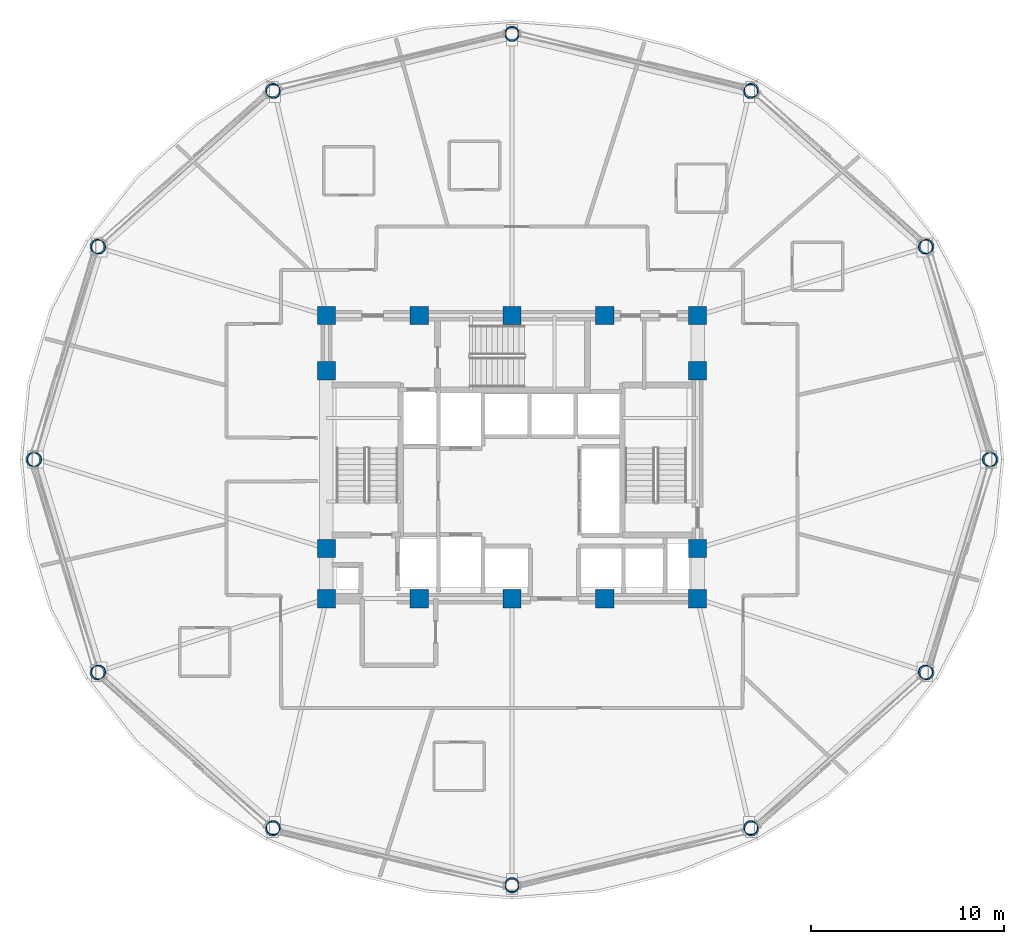
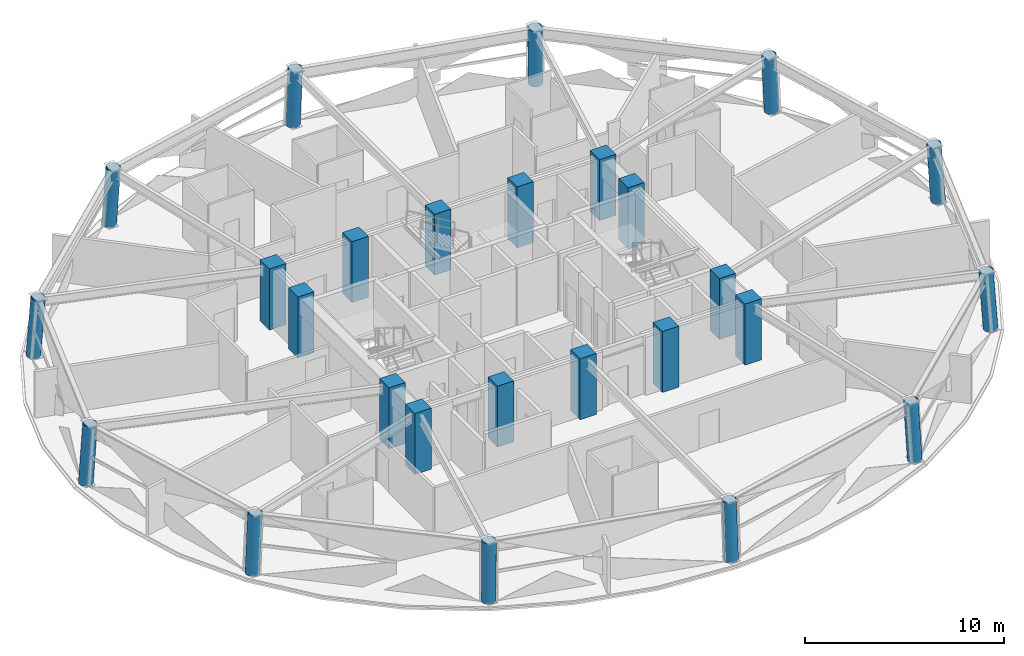
# One storey, part 1 of 12: 26 columns.
"""IFC4 building model written with IfcOpenShell, lengths in metres."""

from ifc_helpers import new_model, si_unit, direction, frame, origin, origin_2d, place, context, subcontext, project, spatial, rectangle, hollow_circle, extrude, material, material_profile, profile_set, type_object, element, save


model = new_model("IFC4")

# Units and contexts
model_context = context("Model", 3, precision=1e-05, world=origin(), true_north=direction((0.0, 1.0)))
body_context = subcontext(model_context, "Body", "Model", "MODEL_VIEW")
ifc_project = project(units=[si_unit("LENGTHUNIT", "METRE"), si_unit("AREAUNIT", "SQUARE_METRE"), si_unit("VOLUMEUNIT", "CUBIC_METRE"), si_unit("PLANEANGLEUNIT", "RADIAN"), si_unit("MASSUNIT", "GRAM", prefix="KILO")], contexts=[model_context])

# Site, building, storey
site_placement = place(None, origin())
site = spatial("IfcSite", under=ifc_project, at=site_placement, CompositionType="ELEMENT")
building_placement = place(site_placement, origin())
building = spatial("IfcBuilding", under=site, at=building_placement, Name="Vantalir Tower", CompositionType="ELEMENT")
storey_placement = place(building_placement, frame((0.0, 0.0, 160.949951171875)))
storey = spatial("IfcBuildingStorey", under=building, at=storey_placement, Name="L40", CompositionType="ELEMENT", Elevation=160.949951171875)

# Columns
ifc_material_1 = material(Name="Concrete C60/75", Category="concrete")
ifc_material_profile_1 = material_profile(ifc_material_1, rectangle(XDim=0.949951171875, YDim=0.949951171875, at=origin_2d()), Name="Concrete C60/75")
ifc_profile_set_1 = profile_set([ifc_material_profile_1], Name="Concrete C60/75")
column_type_1 = type_object("IfcColumnType", Name="COL-CC-950", PredefinedType="COLUMN", material=ifc_profile_set_1)
for number, where, z_axis, x_axis, name in (
    (1, (21.89990234375, 17.800048828125, 0.0), (0.0, 0.0, 1.0), (1.0, 0.0, 0.0), "L40 Core Column CC01"),
    (2, (26.699951171875, 17.800048828125, 0.0), (0.0, 0.0, 1.0), (1.0, 0.0, 0.0), "L40 Core Column CC02"),
    (3, (31.5, 17.800048828125, 0.0), (0.0, 0.0, 1.0), (1.0, 0.0, 0.0), "L40 Core Column CC03"),
    (4, (36.300048828125, 17.800048828125, 0.0), (0.0, 0.0, 1.0), (1.0, 0.0, 0.0), "L40 Core Column CC04"),
    (5, (41.10009765625, 17.800048828125, 0.0), (0.0, 0.0, 1.0), (1.0, 0.0, 0.0), "L40 Core Column CC05"),
    (6, (21.89990234375, 20.39990234375, 0.0), (0.0, 0.0, 1.0), (1.0, 0.0, 0.0), "L40 Core Column CC06"),
    (7, (21.89990234375, 29.60009765625, 0.0), (0.0, 0.0, 1.0), (1.0, 0.0, 0.0), "L40 Core Column CC07"),
    (8, (41.10009765625, 20.39990234375, 0.0), (0.0, 0.0, 1.0), (1.0, 0.0, 0.0), "L40 Core Column CC08"),
    (9, (41.10009765625, 29.60009765625, 0.0), (0.0, 0.0, 1.0), (1.0, 0.0, 0.0), "L40 Core Column CC09"),
    (10, (21.89990234375, 32.449951171875, 0.0), (0.0, 0.0, 1.0), (1.0, 0.0, 0.0), "L40 Core Column CC10"),
    (11, (26.699951171875, 32.449951171875, 0.0), (0.0, 0.0, 1.0), (1.0, 0.0, 0.0), "L40 Core Column CC11"),
    (12, (31.5, 32.449951171875, 0.0), (0.0, 0.0, 1.0), (1.0, 0.0, 0.0), "L40 Core Column CC12"),
    (13, (36.300048828125, 32.449951171875, 0.0), (0.0, 0.0, 1.0), (1.0, 0.0, 0.0), "L40 Core Column CC13"),
    (14, (41.10009765625, 32.449951171875, 0.0), (0.0, 0.0, 1.0), (1.0, 0.0, 0.0), "L40 Core Column CC14"),
):
    element("IfcColumn", number, at=place(storey_placement, frame(where, z_axis=z_axis, x_axis=x_axis)), inside=storey, type_object=column_type_1, Name=name, PredefinedType="COLUMN", context=body_context, shape_type="SweptSolid", body=[
        extrude(rectangle(XDim=0.949951171875, YDim=0.949951171875, at=origin_2d()), origin(), (0.0, 0.0, 1.0), 3.75),
    ])
ifc_material_2 = material(Name="Steel S460", Category="steel")
ifc_material_profile_2 = material_profile(ifc_material_2, hollow_circle(Radius=0.375, WallThickness=0.034912109375, at=origin_2d()), Name="Steel S460")
ifc_profile_set_2 = profile_set([ifc_material_profile_2], Name="Steel S460")
column_type_2 = type_object("IfcColumnType", Name="COL-RC-750", PredefinedType="COLUMN", material=ifc_profile_set_2)
column_1_placement = place(storey_placement, frame((56.282958984375, 25.0, 0.0), z_axis=(-0.069040907856, 0.0, 0.997613829617), x_axis=(0.0, -1.0, 0.0)))
element("IfcColumn", 15, at=column_1_placement, inside=storey, type_object=column_type_2, Name="L40 Perimeter Ring Column RC01", PredefinedType="COLUMN", context=body_context, shape_type="SweptSolid", body=[
    extrude(hollow_circle(Radius=0.375, WallThickness=0.034912109375, at=origin_2d()), origin(), (0.0, 0.0, 1.0), 3.57861328125),
])
column_2_placement = place(storey_placement, frame((52.962890625, 36.033935546875, 0.0), z_axis=(-0.059770231888, -0.030703886244, 0.997739841216), x_axis=(0.456934981397, -0.88950009712, 0.0)))
element("IfcColumn", 16, at=column_2_placement, inside=storey, type_object=column_type_2, Name="L40 Perimeter Ring Column RC02", PredefinedType="COLUMN", context=body_context, shape_type="SweptSolid", body=[
    extrude(hollow_circle(Radius=0.375, WallThickness=0.034912109375, at=origin_2d()), origin(), (0.0, 0.0, 1.0), 3.578125),
])
column_3_placement = place(storey_placement, frame((43.89208984375, 44.112060546875, 0.0), z_axis=(-0.034669243934, -0.053437043308, 0.997969200891), x_axis=(0.838908401488, -0.544272628296, 0.0)))
element("IfcColumn", 17, at=column_3_placement, inside=storey, type_object=column_type_2, Name="L40 Perimeter Ring Column RC03", PredefinedType="COLUMN", context=body_context, shape_type="SweptSolid", body=[
    extrude(hollow_circle(Radius=0.375, WallThickness=0.034912109375, at=origin_2d()), origin(), (0.0, 0.0, 1.0), 3.577392578125),
])
column_4_placement = place(storey_placement, frame((31.5, 47.069091796875, 0.0), z_axis=(0.0, -0.061838614669, 0.998086161479), x_axis=(1.0, 0.0, 0.0)))
element("IfcColumn", 18, at=column_4_placement, inside=storey, type_object=column_type_2, Name="L40 Perimeter Ring Column RC04", PredefinedType="COLUMN", context=body_context, shape_type="SweptSolid", body=[
    extrude(hollow_circle(Radius=0.375, WallThickness=0.034912109375, at=origin_2d()), origin(), (0.0, 0.0, 1.0), 3.576904296875),
])
column_5_placement = place(storey_placement, frame((19.10888671875, 44.112060546875, 0.0), z_axis=(0.034396582019, -0.053437547065, 0.997978608843), x_axis=(0.840864304793, 0.541245989292, 0.0)))
element("IfcColumn", 19, at=column_5_placement, inside=storey, type_object=column_type_2, Name="L40 Perimeter Ring Column RC05", PredefinedType="COLUMN", context=body_context, shape_type="SweptSolid", body=[
    extrude(hollow_circle(Radius=0.375, WallThickness=0.034912109375, at=origin_2d()), origin(), (0.0, 0.0, 1.0), 3.577392578125),
])
column_6_placement = place(storey_placement, frame((10.037109375, 36.033935546875, 0.0), z_axis=(0.059770231888, -0.030703886244, 0.997739841216), x_axis=(0.456934981397, 0.88950009712, 0.0)))
element("IfcColumn", 20, at=column_6_placement, inside=storey, type_object=column_type_2, Name="L40 Perimeter Ring Column RC06", PredefinedType="COLUMN", context=body_context, shape_type="SweptSolid", body=[
    extrude(hollow_circle(Radius=0.375, WallThickness=0.034912109375, at=origin_2d()), origin(), (0.0, 0.0, 1.0), 3.578125),
])
column_7_placement = place(storey_placement, frame((6.717041015625, 25.0, 0.0), z_axis=(0.069040907856, 0.0, 0.997613829617), x_axis=(0.0, 1.0, 0.0)))
element("IfcColumn", 21, at=column_7_placement, inside=storey, type_object=column_type_2, Name="L40 Perimeter Ring Column RC07", PredefinedType="COLUMN", context=body_context, shape_type="SweptSolid", body=[
    extrude(hollow_circle(Radius=0.375, WallThickness=0.034912109375, at=origin_2d()), origin(), (0.0, 0.0, 1.0), 3.57861328125),
])
column_8_placement = place(storey_placement, frame((10.037109375, 13.965087890625, 0.0), z_axis=(0.059769728806, 0.030976548947, 0.997731443292), x_axis=(-0.460139651685, 0.887846552591, 0.0)))
element("IfcColumn", 22, at=column_8_placement, inside=storey, type_object=column_type_2, Name="L40 Perimeter Ring Column RC08", PredefinedType="COLUMN", context=body_context, shape_type="SweptSolid", body=[
    extrude(hollow_circle(Radius=0.375, WallThickness=0.034912109375, at=origin_2d()), origin(), (0.0, 0.0, 1.0), 3.578125),
])
column_9_placement = place(storey_placement, frame((19.10791015625, 5.887939453125, 0.0), z_axis=(0.034669243934, 0.053437043308, 0.997969200891), x_axis=(-0.838908401488, 0.544272628296, 0.0)))
element("IfcColumn", 23, at=column_9_placement, inside=storey, type_object=column_type_2, Name="L40 Perimeter Ring Column RC09", PredefinedType="COLUMN", context=body_context, shape_type="SweptSolid", body=[
    extrude(hollow_circle(Radius=0.375, WallThickness=0.034912109375, at=origin_2d()), origin(), (0.0, 0.0, 1.0), 3.577392578125),
])
column_10_placement = place(storey_placement, frame((31.5, 2.930908203125, 0.0), z_axis=(0.0, 0.061838614669, 0.998086161479), x_axis=(-1.0, 0.0, 0.0)))
element("IfcColumn", 24, at=column_10_placement, inside=storey, type_object=column_type_2, Name="L40 Perimeter Ring Column RC10", PredefinedType="COLUMN", context=body_context, shape_type="SweptSolid", body=[
    extrude(hollow_circle(Radius=0.375, WallThickness=0.034912109375, at=origin_2d()), origin(), (0.0, 0.0, 1.0), 3.576904296875),
])
column_11_placement = place(storey_placement, frame((43.89208984375, 5.887939453125, 0.0), z_axis=(-0.034669243934, 0.053437043308, 0.997969200891), x_axis=(-0.838908401488, -0.544272628296, 0.0)))
element("IfcColumn", 25, at=column_11_placement, inside=storey, type_object=column_type_2, Name="L40 Perimeter Ring Column RC11", PredefinedType="COLUMN", context=body_context, shape_type="SweptSolid", body=[
    extrude(hollow_circle(Radius=0.375, WallThickness=0.034912109375, at=origin_2d()), origin(), (0.0, 0.0, 1.0), 3.577392578125),
])
column_12_placement = place(storey_placement, frame((52.962890625, 13.965087890625, 0.0), z_axis=(-0.059769728806, 0.030976548947, 0.997731443292), x_axis=(-0.460139651685, -0.887846552591, 0.0)))
element("IfcColumn", 26, at=column_12_placement, inside=storey, type_object=column_type_2, Name="L40 Perimeter Ring Column RC12", PredefinedType="COLUMN", context=body_context, shape_type="SweptSolid", body=[
    extrude(hollow_circle(Radius=0.375, WallThickness=0.034912109375, at=origin_2d()), origin(), (0.0, 0.0, 1.0), 3.578125),
])

save(model, "model.ifc")
